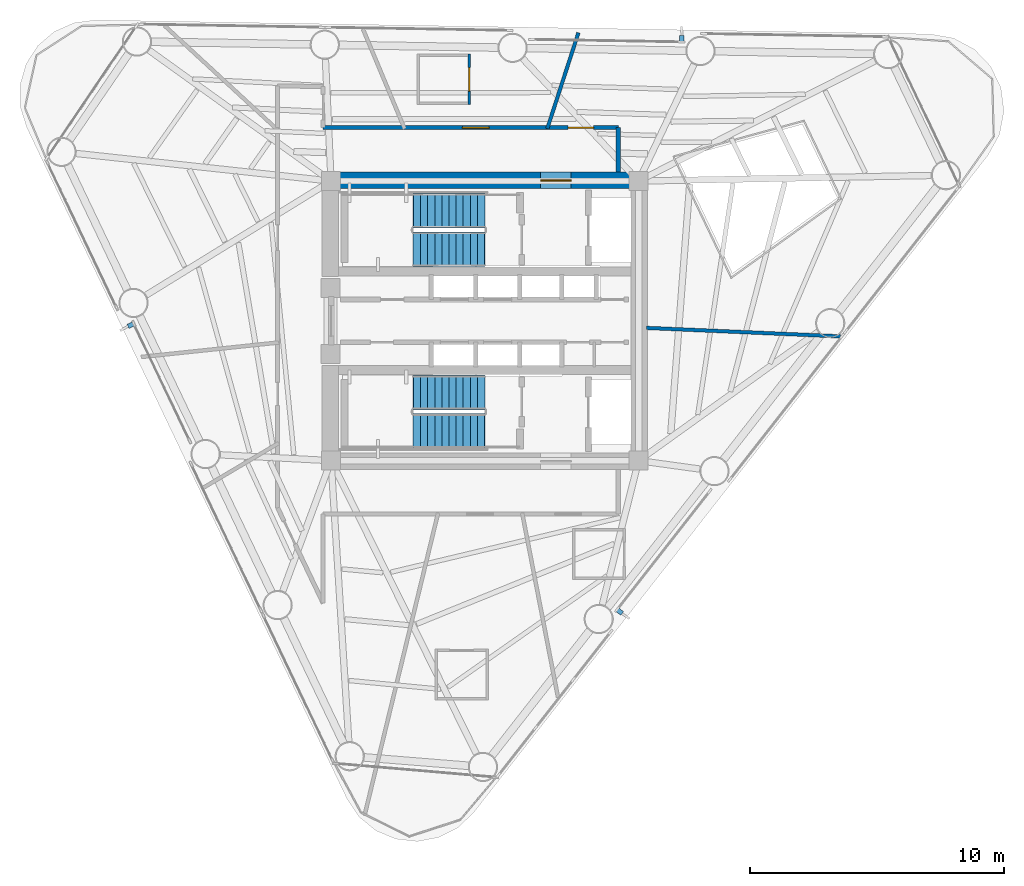
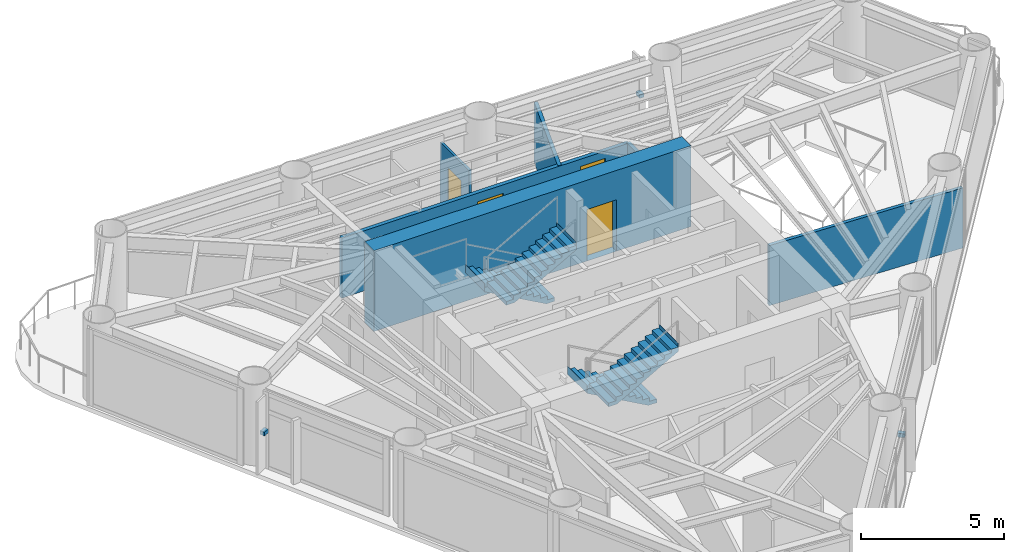
# One storey, part 7 of 10: 6 walls, 4 doors, 4 stair flights, 3 discrete accessories, 4 openings, 2 elements without a shape of their own.
"""IFC4 building model written with IfcOpenShell, lengths in metres."""

from ifc_helpers import new_model, si_unit, direction, frame, frame_2d, origin, origin_2d, place, context, subcontext, project, spatial, polyline, rectangle, outline, extrude, source, transform, mapped, material, layer, layer_set, type_object, element, fill, aggregate, save


model = new_model("IFC4")

# Units and contexts
model_context = context("Model", 3, precision=1e-05, world=origin(), true_north=direction((0.0, 1.0)))
body_context = subcontext(model_context, "Body", "Model", "MODEL_VIEW")
ifc_project = project(units=[si_unit("LENGTHUNIT", "METRE"), si_unit("AREAUNIT", "SQUARE_METRE"), si_unit("VOLUMEUNIT", "CUBIC_METRE"), si_unit("PLANEANGLEUNIT", "RADIAN"), si_unit("MASSUNIT", "GRAM", prefix="KILO")], contexts=[model_context])

# Site, building, storey
site_placement = place(None, origin())
site = spatial("IfcSite", under=ifc_project, at=site_placement, CompositionType="ELEMENT")
building_placement = place(site_placement, origin())
building = spatial("IfcBuilding", under=site, at=building_placement, Name="Yunling Apex Tower", CompositionType="ELEMENT")
storey_placement = place(building_placement, frame((0.0, 0.0, 215.60009765625)))
storey = spatial("IfcBuildingStorey", under=building, at=storey_placement, Name="L53", CompositionType="ELEMENT", Elevation=215.60009765625)

# Wall, opening, door
ifc_material_1 = material(Name="Concrete C50", Category="concrete")
ifc_layer_1 = layer(ifc_material_1, 0.64990234375)
ifc_layer_set_1 = layer_set([ifc_layer_1], Name="Concrete C50")
wall_type_1 = type_object("IfcWallType", Name="WL-COR-2", PredefinedType="SHEAR", material=ifc_layer_set_1)
wall_1_placement = place(storey_placement, frame((-6.39990234375, 5.52490234375, 0.0), z_axis=(0.0, 0.0, 1.0), x_axis=(1.0, 0.0, 0.0)))
wall_1 = element("IfcWall", 1, at=wall_1_placement, inside=storey, type_object=wall_type_1, Name="L53 North Core Shear Wall", PredefinedType="SHEAR", context=body_context, shape_type="SweptSolid", body=[
    extrude(rectangle(XDim=12.7998046875, YDim=0.64990234375, at=frame_2d((6.39990234375, 0.0))), origin(), (0.0, 0.0, 1.0), 3.449951171875),
])
opening_1_placement = place(wall_1_placement, frame((8.60009765625, 0.0, 0.0)))
opening_1 = element("IfcOpeningElement", 2, at=opening_1_placement, cuts=wall_1, Name="Opening DR-FFL-1", PredefinedType="OPENING", context=body_context, shape_type="SweptSolid", body=[
    extrude(rectangle(XDim=1.199951171875, YDim=2.199951171875, at=frame_2d((0.60009765625, 1.10009765625))), frame((0.0, 0.3349609375, 0.0), z_axis=(0.0, -1.0, 0.0), x_axis=(1.0, 0.0, 0.0)), (0.0, 0.0, 1.0), 0.669921875),
])
ifc_material_2 = material(Name="Steel Q355B", Category="steel")
door_type_1 = type_object("IfcDoorType", Name="DR-FFL-1", OperationType="NOTDEFINED", PredefinedType="DOOR", material=ifc_material_2)
door_1_placement = place(opening_1_placement, origin())
door_1 = element("IfcDoor", 3, at=door_1_placement, inside=storey, type_object=door_type_1, Name="L53 North Firefighting Lobby Door", OperationType="SINGLE_SWING_LEFT", OverallHeight=2.199951171875, OverallWidth=1.199951171875, PredefinedType="DOOR", context=body_context, shape_type="SweptSolid", body=[
    extrude(rectangle(XDim=1.199951171875, YDim=2.199951171875, at=frame_2d((0.60009765625, 1.10009765625))), frame((0.0, 0.02490234375, 0.0), z_axis=(0.0, -1.0, 0.0), x_axis=(1.0, 0.0, 0.0)), (0.0, 0.0, 1.0), 0.050048828125),
])
fill(opening_1, door_1)

# Wall, openings, doors
ifc_material_3 = material(Name="Gypsum board acoustic partition")
ifc_layer_2 = layer(ifc_material_3, 0.159912109375)
ifc_layer_set_2 = layer_set([ifc_layer_2], Name="Gypsum board acoustic partition")
wall_type_2 = type_object("IfcWallType", Name="WL-PRT-1", PredefinedType="PARTITIONING", material=ifc_layer_set_2)
wall_2_placement = place(storey_placement, frame((-6.360107421875, 7.60009765625, 0.0), z_axis=(0.0, 0.0, 1.0), x_axis=(1.0, 0.0, 0.0)))
wall_2 = element("IfcWall", 4, at=wall_2_placement, inside=storey, type_object=wall_type_2, Name="WL-CORR-L53-06", PredefinedType="PARTITIONING", context=body_context, shape_type="SweptSolid", body=[
    extrude(rectangle(XDim=11.610107421875, YDim=0.159912109375, at=frame_2d((5.80517578125, 0.0))), origin(), (0.0, 0.0, 1.0), 2.56494140625),
])
opening_2_placement = place(wall_2_placement, frame((5.4794921875, 0.0, 0.0)))
opening_2 = element("IfcOpeningElement", 5, at=opening_2_placement, cuts=wall_2, Name="Opening DR-FL-1", PredefinedType="OPENING", context=body_context, shape_type="SweptSolid", body=[
    extrude(rectangle(XDim=1.050048828125, YDim=2.199951171875, at=frame_2d((0.52490234375, 1.10009765625))), frame((0.0, 0.08984375, 0.0), z_axis=(0.0, -1.0, 0.0), x_axis=(1.0, 0.0, 0.0)), (0.0, 0.0, 1.0), 0.179931640625),
])
opening_3_placement = place(wall_2_placement, frame((9.640625, 0.0, 0.0)))
opening_3 = element("IfcOpeningElement", 6, at=opening_3_placement, cuts=wall_2, Name="Opening DR-OFF-1", PredefinedType="OPENING", context=body_context, shape_type="SweptSolid", body=[
    extrude(rectangle(XDim=1.0, YDim=2.25, at=frame_2d((0.5, 1.125))), frame((0.0, 0.08984375, 0.0), z_axis=(0.0, -1.0, 0.0), x_axis=(1.0, 0.0, 0.0)), (0.0, 0.0, 1.0), 0.179931640625),
])
ifc_material_4 = material(Name="Timber fire-rated leaf", Category="wood")
door_type_2 = type_object("IfcDoorType", Name="DR-FL-1", OperationType="NOTDEFINED", PredefinedType="DOOR", material=ifc_material_4)
door_2_placement = place(opening_2_placement, origin())
door_2 = element("IfcDoor", 7, at=door_2_placement, inside=storey, type_object=door_type_2, Name="L53 Hotel Guest Room Door", OperationType="SINGLE_SWING_RIGHT", OverallHeight=2.199951171875, OverallWidth=1.050048828125, PredefinedType="DOOR", context=body_context, shape_type="SweptSolid", body=[
    extrude(rectangle(XDim=1.050048828125, YDim=2.199951171875, at=frame_2d((0.52490234375, 1.10009765625))), frame((0.0, 0.02490234375, 0.0), z_axis=(0.0, -1.0, 0.0), x_axis=(1.0, 0.0, 0.0)), (0.0, 0.0, 1.0), 0.050048828125),
])
fill(opening_2, door_2)
ifc_material_5 = material(Name="Bronze anodised aluminium", Category="aluminium")
door_type_3 = type_object("IfcDoorType", Name="DR-OFF-1", OperationType="NOTDEFINED", PredefinedType="DOOR", material=ifc_material_5)
door_3_placement = place(opening_3_placement, origin())
door_3 = element("IfcDoor", 8, at=door_3_placement, inside=storey, type_object=door_type_3, Name="L53 Club Lounge Door", OperationType="SINGLE_SWING_LEFT", OverallHeight=2.25, OverallWidth=1.0, PredefinedType="DOOR", context=body_context, shape_type="SweptSolid", body=[
    extrude(rectangle(XDim=1.0, YDim=2.25, at=frame_2d((0.5, 1.125))), frame((0.0, 0.02490234375, 0.0), z_axis=(0.0, -1.0, 0.0), x_axis=(1.0, 0.0, 0.0)), (0.0, 0.0, 1.0), 0.050048828125),
])
fill(opening_3, door_3)

# Walls
wall_3_placement = place(storey_placement, frame((5.25, 7.60009765625, 0.0), z_axis=(0.0, 0.0, 1.0), x_axis=(0.0, -1.0, 0.0)))
element("IfcWall", 9, at=wall_3_placement, inside=storey, type_object=wall_type_2, Name="WL-CORR-L53-07", PredefinedType="PARTITIONING", context=body_context, shape_type="SweptSolid", body=[
    extrude(rectangle(XDim=1.75, YDim=0.159912109375, at=frame_2d((0.875, 0.0))), origin(), (0.0, 0.0, 1.0), 2.56494140625),
])
ifc_layer_3 = layer(ifc_material_3, 0.139892578125)
ifc_layer_set_3 = layer_set([ifc_layer_3], Name="Gypsum board acoustic partition")
wall_type_3 = type_object("IfcWallType", Name="WL-PRT-2", PredefinedType="PARTITIONING", material=ifc_layer_set_3)
wall_4_placement = place(storey_placement, frame((6.360107421875, -0.277587890625, 0.0), z_axis=(0.0, 0.0, 1.0), x_axis=(0.999047276506, -0.04364102778, 0.0)))
element("IfcWall", 10, at=wall_4_placement, inside=storey, type_object=wall_type_3, Name="WL-RAD-L53-01", PredefinedType="PARTITIONING", context=body_context, shape_type="SweptSolid", body=[
    extrude(rectangle(XDim=7.641845703125, YDim=0.139892578125, at=frame_2d((3.82080078125, 0.0))), origin(), (0.0, 0.0, 1.0), 2.56494140625),
])
wall_5_placement = place(storey_placement, frame((2.456298828125, 7.56005859375, 0.0), z_axis=(0.0, 0.0, 1.0), x_axis=(0.30904716458, 0.951046712872, 0.0)))
element("IfcWall", 11, at=wall_5_placement, inside=storey, type_object=wall_type_3, Name="WL-RAD-L53-02", PredefinedType="PARTITIONING", context=body_context, shape_type="SweptSolid", body=[
    extrude(rectangle(XDim=3.972900390625, YDim=0.139892578125, at=frame_2d((1.986328125, 0.0))), origin(), (0.0, 0.0, 1.0), 2.56494140625),
])

# Wall, opening, door
ifc_layer_4 = layer(ifc_material_3, 0.10009765625)
ifc_layer_set_4 = layer_set([ifc_layer_4], Name="Gypsum board acoustic partition")
wall_type_4 = type_object("IfcWallType", Name="WL-PRT-4", PredefinedType="PARTITIONING", material=ifc_layer_set_4)
wall_6_placement = place(storey_placement, frame((-0.614013671875, 10.5029296875, 0.0), z_axis=(0.0, 0.0, 1.0), x_axis=(0.0, -1.0, 0.0)))
wall_6 = element("IfcWall", 12, at=wall_6_placement, inside=storey, type_object=wall_type_4, Name="WL-ENS-L53-6E", PredefinedType="PARTITIONING", context=body_context, shape_type="SweptSolid", body=[
    extrude(rectangle(XDim=2.0, YDim=0.10009765625, at=frame_2d((1.0, 0.0))), origin(), (0.0, 0.0, 1.0), 2.864990234375),
])
opening_4_placement = place(wall_6_placement, frame((0.5400390625, 0.0, 0.0)))
opening_4 = element("IfcOpeningElement", 13, at=opening_4_placement, cuts=wall_6, Name="Opening DR-WC-1", PredefinedType="OPENING", context=body_context, shape_type="SweptSolid", body=[
    extrude(rectangle(XDim=0.919921875, YDim=2.10009765625, at=frame_2d((0.4599609375, 1.050048828125))), frame((0.0, 0.06005859375, 0.0), z_axis=(0.0, -1.0, 0.0), x_axis=(1.0, 0.0, 0.0)), (0.0, 0.0, 1.0), 0.1201171875),
])
ifc_material_6 = material(Name="Timber moisture-resistant leaf", Category="wood")
door_type_4 = type_object("IfcDoorType", Name="DR-WC-1", OperationType="NOTDEFINED", PredefinedType="DOOR", material=ifc_material_6)
door_4_placement = place(opening_4_placement, origin())
door_4 = element("IfcDoor", 14, at=door_4_placement, inside=storey, type_object=door_type_4, Name="L53 En-Suite Door", OperationType="SINGLE_SWING_LEFT", OverallHeight=2.10009765625, OverallWidth=0.919921875, PredefinedType="DOOR", context=body_context, shape_type="SweptSolid", body=[
    extrude(rectangle(XDim=0.919921875, YDim=2.10009765625, at=frame_2d((0.4599609375, 1.050048828125))), frame((0.0, 0.02490234375, 0.0), z_axis=(0.0, -1.0, 0.0), x_axis=(1.0, 0.0, 0.0)), (0.0, 0.0, 1.0), 0.050048828125),
])
fill(opening_4, door_4)

# Stair, stair flights
ifc_material_7 = material(Name="Concrete C40", Category="concrete")
stair_type = type_object("IfcStairType", Name="ST-TWR-2", PredefinedType="HALF_TURN_STAIR", material=ifc_material_7)
stair_1_placement = place(storey_placement, origin())
stair_1 = element("IfcStair", 15, at=stair_1_placement, inside=storey, type_object=stair_type, Name="L53 North Core Smokeproof Exit Stair ST-1", PredefinedType="HALF_TURN_STAIR")
stair_flight_type = type_object("IfcStairFlightType", Name="SFL-TWR-2", PredefinedType="STRAIGHT", material=ifc_material_7)
stair_flight_1_placement = place(storey_placement, frame((-0.010009765625, 4.330078125, 0.0), z_axis=(0.0, 0.0, 1.0), x_axis=(-1.0, 0.0, 0.0)))
stair_flight_1 = element("IfcStairFlight", 16, at=stair_flight_1_placement, type_object=stair_flight_type, Name="ST-1 flight 1", NumberOfRisers=11, NumberOfTreads=10, PredefinedType="STRAIGHT", RiserHeight=0.156818182, TreadLength=0.28, context=body_context, shape_type="SweptSolid", body=[
    extrude(outline(polyline([(-0.011962890625, 0.0), (-0.011962890625, 0.15673828125), (0.0, 0.15673828125), (0.280029296875, 0.15673828125), (0.280029296875, 0.313720703125), (0.56005859375, 0.313720703125), (0.56005859375, 0.470458984375), (0.840087890625, 0.470458984375), (0.840087890625, 0.627197265625), (1.1201171875, 0.627197265625), (1.1201171875, 0.7841796875), (1.39990234375, 0.7841796875), (1.39990234375, 0.94091796875), (1.679931640625, 0.94091796875), (1.679931640625, 1.09765625), (1.9599609375, 1.09765625), (1.9599609375, 1.254638671875), (2.239990234375, 1.254638671875), (2.239990234375, 1.411376953125), (2.52001953125, 1.411376953125), (2.52001953125, 1.568115234375), (2.800048828125, 1.568115234375), (2.800048828125, 1.72509765625), (2.81201171875, 1.72509765625), (2.81201171875, 1.385009765625), (0.3271484375, 0.0), (-0.011962890625, 0.0)])), frame((0.0, 0.68017578125, 0.0), z_axis=(0.0, -1.0, 0.0), x_axis=(1.0, 0.0, 0.0)), (0.0, 0.0, 1.0), 1.360107421875),
])
stair_flight_2_placement = place(storey_placement, frame((-2.81005859375, 2.820068359375, 1.724853515625), z_axis=(0.0, 0.0, 1.0), x_axis=(1.0, 0.0, 0.0)))
stair_flight_2 = element("IfcStairFlight", 17, at=stair_flight_2_placement, type_object=stair_flight_type, Name="ST-1 flight 2", NumberOfRisers=11, NumberOfTreads=10, PredefinedType="STRAIGHT", RiserHeight=0.156818182, TreadLength=0.28, context=body_context, shape_type="SweptSolid", body=[
    extrude(outline(polyline([(-0.011962890625, 0.0), (-0.011962890625, 0.15673828125), (0.0, 0.15673828125), (0.280029296875, 0.15673828125), (0.280029296875, 0.313720703125), (0.56005859375, 0.313720703125), (0.56005859375, 0.470458984375), (0.840087890625, 0.470458984375), (0.840087890625, 0.627197265625), (1.1201171875, 0.627197265625), (1.1201171875, 0.7841796875), (1.39990234375, 0.7841796875), (1.39990234375, 0.94091796875), (1.679931640625, 0.94091796875), (1.679931640625, 1.09765625), (1.9599609375, 1.09765625), (1.9599609375, 1.254638671875), (2.239990234375, 1.254638671875), (2.239990234375, 1.411376953125), (2.52001953125, 1.411376953125), (2.52001953125, 1.568115234375), (2.800048828125, 1.568115234375), (2.800048828125, 1.72509765625), (2.81201171875, 1.72509765625), (2.81201171875, 1.385009765625), (0.3271484375, 0.0), (-0.011962890625, 0.0)])), frame((0.0, 0.68017578125, 0.0), z_axis=(0.0, -1.0, 0.0), x_axis=(1.0, 0.0, 0.0)), (0.0, 0.0, 1.0), 1.360107421875),
])
aggregate(stair_1, [stair_flight_1, stair_flight_2])

stair_2_placement = place(storey_placement, origin())
stair_2 = element("IfcStair", 18, at=stair_2_placement, inside=storey, type_object=stair_type, Name="L53 South Core Smokeproof Exit Stair ST-2", PredefinedType="HALF_TURN_STAIR")
stair_flight_3_placement = place(storey_placement, frame((-0.010009765625, -2.820068359375, 0.0), z_axis=(0.0, 0.0, 1.0), x_axis=(-1.0, 0.0, 0.0)))
stair_flight_3 = element("IfcStairFlight", 19, at=stair_flight_3_placement, type_object=stair_flight_type, Name="ST-2 flight 1", NumberOfRisers=11, NumberOfTreads=10, PredefinedType="STRAIGHT", RiserHeight=0.156818182, TreadLength=0.28, context=body_context, shape_type="SweptSolid", body=[
    extrude(outline(polyline([(-0.011962890625, 0.0), (-0.011962890625, 0.15673828125), (0.0, 0.15673828125), (0.280029296875, 0.15673828125), (0.280029296875, 0.313720703125), (0.56005859375, 0.313720703125), (0.56005859375, 0.470458984375), (0.840087890625, 0.470458984375), (0.840087890625, 0.627197265625), (1.1201171875, 0.627197265625), (1.1201171875, 0.7841796875), (1.39990234375, 0.7841796875), (1.39990234375, 0.94091796875), (1.679931640625, 0.94091796875), (1.679931640625, 1.09765625), (1.9599609375, 1.09765625), (1.9599609375, 1.254638671875), (2.239990234375, 1.254638671875), (2.239990234375, 1.411376953125), (2.52001953125, 1.411376953125), (2.52001953125, 1.568115234375), (2.800048828125, 1.568115234375), (2.800048828125, 1.72509765625), (2.81201171875, 1.72509765625), (2.81201171875, 1.385009765625), (0.3271484375, 0.0), (-0.011962890625, 0.0)])), frame((0.0, 0.68017578125, 0.0), z_axis=(0.0, -1.0, 0.0), x_axis=(1.0, 0.0, 0.0)), (0.0, 0.0, 1.0), 1.360107421875),
])
stair_flight_4_placement = place(storey_placement, frame((-2.81005859375, -4.330078125, 1.724853515625), z_axis=(0.0, 0.0, 1.0), x_axis=(1.0, 0.0, 0.0)))
stair_flight_4 = element("IfcStairFlight", 20, at=stair_flight_4_placement, type_object=stair_flight_type, Name="ST-2 flight 2", NumberOfRisers=11, NumberOfTreads=10, PredefinedType="STRAIGHT", RiserHeight=0.156818182, TreadLength=0.28, context=body_context, shape_type="SweptSolid", body=[
    extrude(outline(polyline([(-0.011962890625, 0.0), (-0.011962890625, 0.15673828125), (0.0, 0.15673828125), (0.280029296875, 0.15673828125), (0.280029296875, 0.313720703125), (0.56005859375, 0.313720703125), (0.56005859375, 0.470458984375), (0.840087890625, 0.470458984375), (0.840087890625, 0.627197265625), (1.1201171875, 0.627197265625), (1.1201171875, 0.7841796875), (1.39990234375, 0.7841796875), (1.39990234375, 0.94091796875), (1.679931640625, 0.94091796875), (1.679931640625, 1.09765625), (1.9599609375, 1.09765625), (1.9599609375, 1.254638671875), (2.239990234375, 1.254638671875), (2.239990234375, 1.411376953125), (2.52001953125, 1.411376953125), (2.52001953125, 1.568115234375), (2.800048828125, 1.568115234375), (2.800048828125, 1.72509765625), (2.81201171875, 1.72509765625), (2.81201171875, 1.385009765625), (0.3271484375, 0.0), (-0.011962890625, 0.0)])), frame((0.0, 0.68017578125, 0.0), z_axis=(0.0, -1.0, 0.0), x_axis=(1.0, 0.0, 0.0)), (0.0, 0.0, 1.0), 1.360107421875),
])
aggregate(stair_2, [stair_flight_3, stair_flight_4])

# Discrete accessories
discrete_accessory_type = type_object("IfcDiscreteAccessoryType", Name="BK-FIN-1", PredefinedType="BRACKET", material=ifc_material_2)
shared_shape = source(origin(), body_context, "Body", "SweptSolid", [
    extrude(rectangle(XDim=0.179931640625, YDim=0.260009765625, at=origin_2d()), origin(), (0.0, 0.0, 1.0), 0.159912109375),
])
for number, where, z_axis, x_axis, name in (
    (21, (5.299072265625, -11.432861328125, 1.53515625), (0.0, 0.0, 1.0), (0.616211460536, 0.787580748815, 0.0), "CW-L53-F1-B2-BRK-01-1"),
    (22, (7.749755859375, 11.090087890625, 1.53515625), (0.0, 0.0, 1.0), (-0.999859635577, 0.016754376869, 0.0), "CW-L53-F2-B2-BRK-01-1"),
    (23, (-13.9189453125, -0.16162109375, 1.53515625), (0.0, 0.0, 1.0), (0.430511096808, -0.90258528435, 0.0), "CW-L53-F3-B2-BRK-01-1"),
):
    element("IfcDiscreteAccessory", number, at=place(storey_placement, frame(where, z_axis=z_axis, x_axis=x_axis)), inside=storey, type_object=discrete_accessory_type, Name=name, PredefinedType="BRACKET", context=body_context, shape_type="MappedRepresentation", body=[
        mapped(shared_shape, transform((0.0, 0.0, 0.0), scale=1.0)),
    ])

save(model, "model.ifc")
